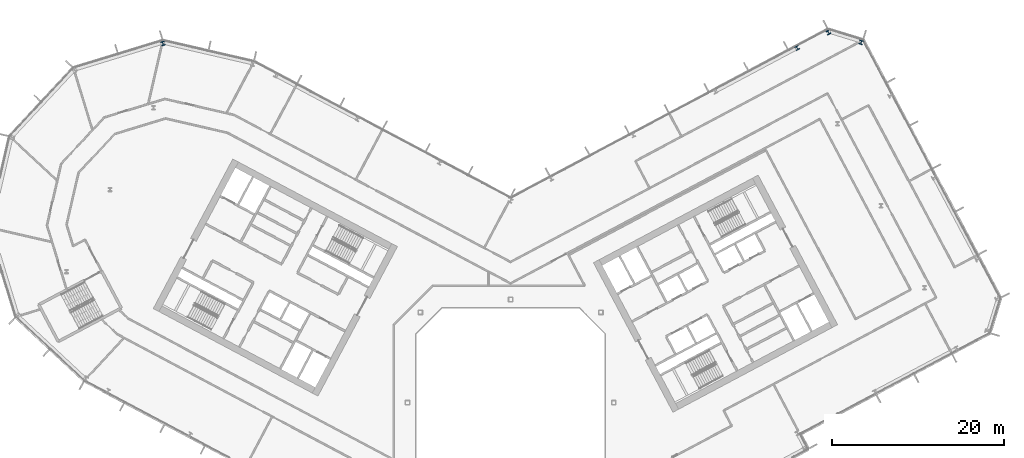
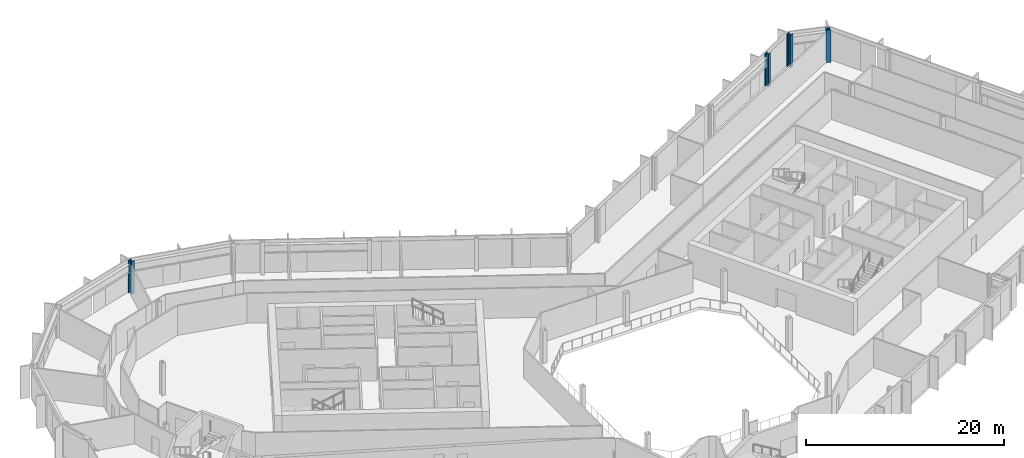
# One storey, part 8 of 28: 4 columns.
"""IFC4 building model written with IfcOpenShell, lengths in metres."""

from ifc_helpers import new_model, si_unit, direction, frame, origin, origin_2d, place, context, subcontext, project, spatial, i_section, extrude, material, material_profile, profile_set, type_object, element, save


model = new_model("IFC4")

# Units and contexts
model_context = context("Model", 3, precision=1e-05, world=origin(), true_north=direction((0.0, 1.0)))
body_context = subcontext(model_context, "Body", "Model", "MODEL_VIEW")
ifc_project = project(units=[si_unit("LENGTHUNIT", "METRE"), si_unit("AREAUNIT", "SQUARE_METRE"), si_unit("VOLUMEUNIT", "CUBIC_METRE"), si_unit("PLANEANGLEUNIT", "RADIAN"), si_unit("MASSUNIT", "GRAM", prefix="KILO")], contexts=[model_context])

# Site, building, storey
site_placement = place(None, origin())
site = spatial("IfcSite", under=ifc_project, at=site_placement, CompositionType="ELEMENT")
building_placement = place(site_placement, origin())
building = spatial("IfcBuilding", under=site, at=building_placement, Name="Cormorant Relay Tower", CompositionType="ELEMENT")
storey_placement = place(building_placement, frame((0.0, 0.0, 158.199951171875)))
storey = spatial("IfcBuildingStorey", under=building, at=storey_placement, Name="L33", CompositionType="ELEMENT", Elevation=158.199951171875)

# Columns
ifc_material_1 = material(Name="Steel ASTM A992 (Fy 345 MPa)", Category="steel")
ifc_material_profile_1 = material_profile(ifc_material_1, i_section(OverallWidth=0.41162109375, OverallDepth=0.434326171875, WebThickness=0.035888671875, FlangeThickness=0.057373046875, FilletRadius=0.01513671875, at=origin_2d()), Name="W360x463")
ifc_profile_set_1 = profile_set([ifc_material_profile_1], Name="Steel ASTM A992 (Fy 345 MPa)")
column_type_1 = type_object("IfcColumnType", Name="Column W360x463", PredefinedType="COLUMN", material=ifc_profile_set_1)
column_placement = place(storey_placement, frame((33.33203125, 41.258056640625, 0.0), z_axis=(0.0, 0.0, 1.0), x_axis=(-0.882947592859, -0.469471562786, 0.0)))
element("IfcColumn", 1, at=column_placement, inside=storey, type_object=column_type_1, Name="Column L33-047", PredefinedType="COLUMN", context=body_context, shape_type="SweptSolid", body=[
    extrude(i_section(OverallWidth=0.41162109375, OverallDepth=0.434326171875, WebThickness=0.035888671875, FlangeThickness=0.057373046875, FilletRadius=0.01513671875, at=origin_2d()), origin(), (0.0, 0.0, 1.0), 4.0),
])
ifc_material_2 = material(Name="Steel ASTM A992 (Fy 345 MPa)", Category="steel")
ifc_material_profile_2 = material_profile(ifc_material_2, i_section(OverallWidth=0.42431640625, OverallDepth=0.47509765625, WebThickness=0.0478515625, FlangeThickness=0.0771484375, FilletRadius=0.014892578125, at=origin_2d()), Name="W360x634")
ifc_profile_set_2 = profile_set([ifc_material_profile_2], Name="Steel ASTM A992 (Fy 345 MPa)")
column_type_2 = type_object("IfcColumnType", Name="Column W360x634", PredefinedType="COLUMN", material=ifc_profile_set_2)
for number, where, z_axis, x_axis, name in (
    (2, (-40.4541015625, 41.783935546875, 0.0), (0.0, 0.0, 1.0), (-0.956304755963, -0.292371704723, 0.0), "Column L33-048"),
    (3, (40.77197265625, 41.9130859375, 0.0), (0.0, 0.0, 1.0), (-0.956304755963, 0.292371704723, 0.0), "Column L33-049"),
    (4, (36.970947265625, 43.075927734375, 0.0), (0.0, 0.0, 1.0), (-0.882947592859, -0.469471562786, 0.0), "Column L33-050"),
):
    element("IfcColumn", number, at=place(storey_placement, frame(where, z_axis=z_axis, x_axis=x_axis)), inside=storey, type_object=column_type_2, Name=name, PredefinedType="COLUMN", context=body_context, shape_type="SweptSolid", body=[
        extrude(i_section(OverallWidth=0.42431640625, OverallDepth=0.47509765625, WebThickness=0.0478515625, FlangeThickness=0.0771484375, FilletRadius=0.014892578125, at=origin_2d()), origin(), (0.0, 0.0, 1.0), 4.0),
    ])

save(model, "model.ifc")
